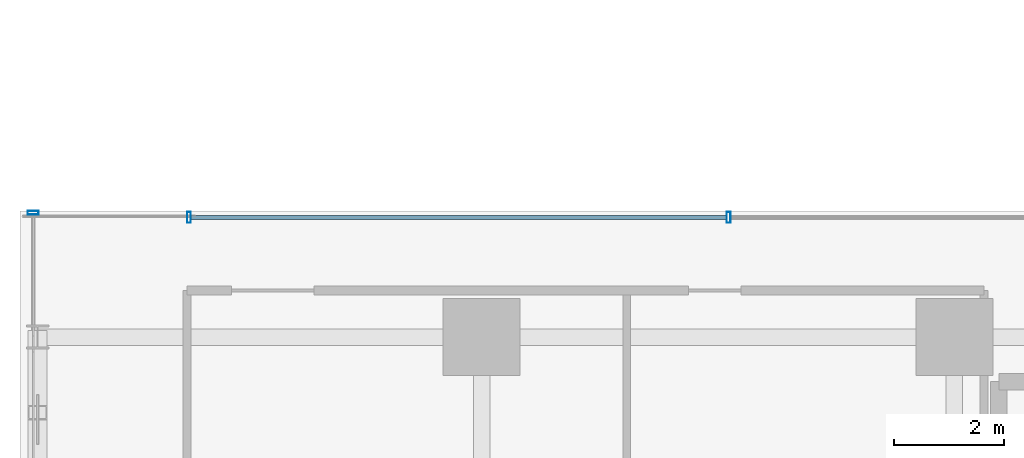
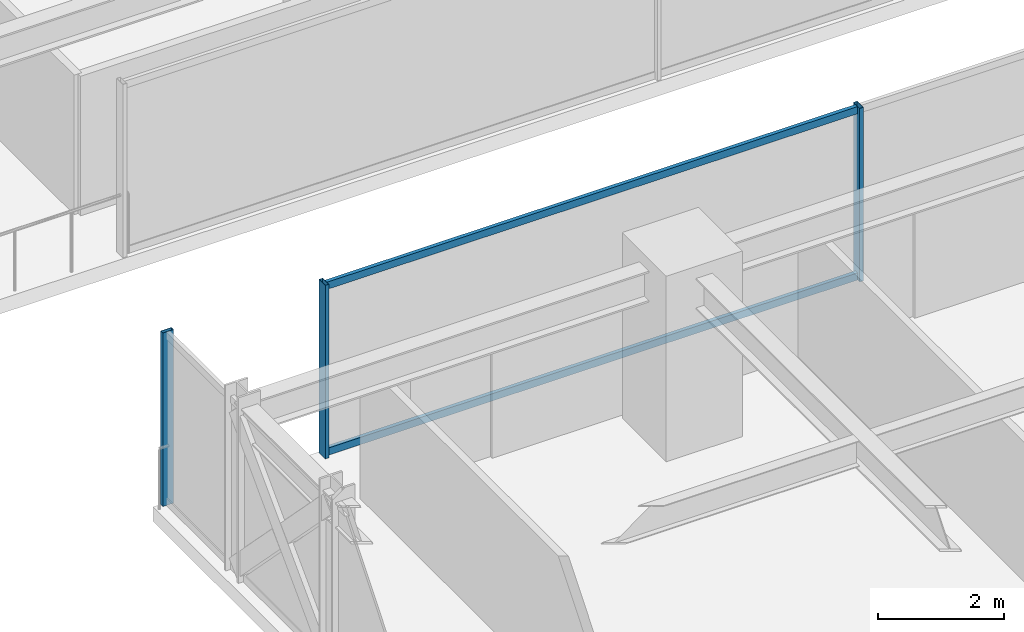
# One storey, part 9 of 43: 5 members, 2 elements without a shape of their own.
"""IFC4 building model written with IfcOpenShell, lengths in metres."""

from ifc_helpers import new_model, si_unit, direction, frame, origin, origin_2d, place, context, subcontext, project, spatial, hollow_rectangle, extrude, source, transform, mapped, material, material_profile, profile_set, type_object, element, aggregate, save


model = new_model("IFC4")

# Units and contexts
model_context = context("Model", 3, precision=1e-05, world=origin(), true_north=direction((0.0, 1.0)))
body_context = subcontext(model_context, "Body", "Model", "MODEL_VIEW")
ifc_project = project(units=[si_unit("LENGTHUNIT", "METRE"), si_unit("AREAUNIT", "SQUARE_METRE"), si_unit("VOLUMEUNIT", "CUBIC_METRE"), si_unit("PLANEANGLEUNIT", "RADIAN"), si_unit("MASSUNIT", "GRAM", prefix="KILO")], contexts=[model_context])

# Site, building, storey
site_placement = place(None, origin())
site = spatial("IfcSite", under=ifc_project, at=site_placement, CompositionType="ELEMENT")
building_placement = place(site_placement, origin())
building = spatial("IfcBuilding", under=site, at=building_placement, Name="Nahalor Promenade Grand Hotel", CompositionType="ELEMENT")
storey_placement = place(building_placement, frame((0.0, 0.0, 57.949951171875)))
storey = spatial("IfcBuildingStorey", under=building, at=storey_placement, Name="L13", CompositionType="ELEMENT", Elevation=57.949951171875)

# Curtain wall, members
ifc_material = material(Name="Anodised Bronze Aluminium EN AW-6063 T6", Category="aluminium")
curtain_wall_type = type_object("IfcCurtainWallType", Name="CW3 Elliptical-Void Collar Unitised Curtain Wall", PredefinedType="USERDEFINED", material=ifc_material)
curtain_wall_1_placement = place(storey_placement, origin())
curtain_wall_1 = element("IfcCurtainWall", 1, at=curtain_wall_1_placement, inside=storey, type_object=curtain_wall_type, Name="L13 Curtain Wall CW-L13-VOID-WS1", ObjectType="UNITISED_CURTAIN_WALL", PredefinedType="USERDEFINED")
ifc_material_profile_1 = material_profile(ifc_material, hollow_rectangle(XDim=0.07, YDim=0.14, WallThickness=0.004, at=origin_2d()), Name="CWT 70x140x4")
ifc_profile_set_1 = profile_set([ifc_material_profile_1], Name="Anodised Bronze Aluminium EN AW-6063 T6")
member_type_1 = type_object("IfcMemberType", Name="CWT3 Void Collar Transom 70x140", PredefinedType="USERDEFINED", material=ifc_profile_set_1)
shared_shape_1 = source(origin(), body_context, "Body", "SweptSolid", [
    extrude(hollow_rectangle(XDim=0.07, YDim=0.14, WallThickness=0.004, at=origin_2d()), origin(), (0.0, 0.0, 1.0), 9.748291015625),
])
member_1_placement = place(storey_placement, frame((-22.2900390625, -3.219970703125, 0.070068359375), z_axis=(1.0, 0.0, 0.0), x_axis=(0.0, 1.0, 0.0)))
member_1 = element("IfcMember", 2, at=member_1_placement, type_object=member_type_1, Name="CW-L13-VOID-WS1 Transom 0-0", ObjectType="TRANSOM", PredefinedType="USERDEFINED", context=body_context, shape_type="MappedRepresentation", body=[
    mapped(shared_shape_1, transform((0.0, 0.0, 0.0), scale=1.0)),
])
member_2_placement = place(storey_placement, frame((-22.2900390625, -3.219970703125, 3.300048828125), z_axis=(1.0, 0.0, 0.0), x_axis=(0.0, 1.0, 0.0)))
member_2 = element("IfcMember", 3, at=member_2_placement, type_object=member_type_1, Name="CW-L13-VOID-WS1 Transom 0-1", ObjectType="TRANSOM", PredefinedType="USERDEFINED", context=body_context, shape_type="MappedRepresentation", body=[
    mapped(shared_shape_1, transform((0.0, 0.0, 0.0), scale=1.0)),
])

# Curtain wall, member
curtain_wall_2_placement = place(storey_placement, origin())
curtain_wall_2 = element("IfcCurtainWall", 4, at=curtain_wall_2_placement, inside=storey, type_object=curtain_wall_type, Name="L13 Curtain Wall CW-L13-W-1", ObjectType="UNITISED_CURTAIN_WALL", PredefinedType="USERDEFINED")
ifc_material_profile_2 = material_profile(ifc_material, hollow_rectangle(XDim=0.07, YDim=0.2, WallThickness=0.005, at=origin_2d()), Name="CWM 70x200x5")
ifc_profile_set_2 = profile_set([ifc_material_profile_2], Name="Anodised Bronze Aluminium EN AW-6063 T6")
member_type_2 = type_object("IfcMemberType", Name="CWM3 Void Collar Mullion 70x200", PredefinedType="MULLION", material=ifc_profile_set_2)
shared_shape_2 = source(origin(), body_context, "Body", "SweptSolid", [
    extrude(hollow_rectangle(XDim=0.07, YDim=0.2, WallThickness=0.005, at=origin_2d()), origin(), (0.0, 0.0, 1.0), 3.3701171875),
])
member_3_placement = place(storey_placement, frame((-25.159912109375, -3.135009765625, 0.0), z_axis=(0.0, 0.0, 1.0), x_axis=(0.0, 1.0, 0.0)))
member_3 = element("IfcMember", 5, at=member_3_placement, type_object=member_type_2, Name="CW-L13-W-1 Mullion 2", PredefinedType="MULLION", context=body_context, shape_type="MappedRepresentation", body=[
    mapped(shared_shape_2, transform((0.0, 0.0, 0.0), scale=1.0)),
])
aggregate(curtain_wall_2, [member_3])

# Member
member_4_placement = place(storey_placement, frame((-22.324951171875, -3.219970703125, 0.0), z_axis=(0.0, 0.0, 1.0), x_axis=(1.0, 0.0, 0.0)))
member_4 = element("IfcMember", 6, at=member_4_placement, type_object=member_type_2, Name="CW-L13-VOID-WS1 Mullion 0", PredefinedType="MULLION", context=body_context, shape_type="MappedRepresentation", body=[
    mapped(shared_shape_2, transform((0.0, 0.0, 0.0), scale=1.0)),
])

member_5_placement = place(storey_placement, frame((-12.506591796875, -3.219970703125, 0.0), z_axis=(0.0, 0.0, 1.0), x_axis=(1.0, 0.0, 0.0)))
member_5 = element("IfcMember", 7, at=member_5_placement, type_object=member_type_2, Name="CW-L13-VOID-WS1 Mullion 1", PredefinedType="MULLION", context=body_context, shape_type="MappedRepresentation", body=[
    mapped(shared_shape_2, transform((0.0, 0.0, 0.0), scale=1.0)),
])

aggregate(curtain_wall_1, [member_4, member_5, member_1, member_2])

save(model, "model.ifc")
